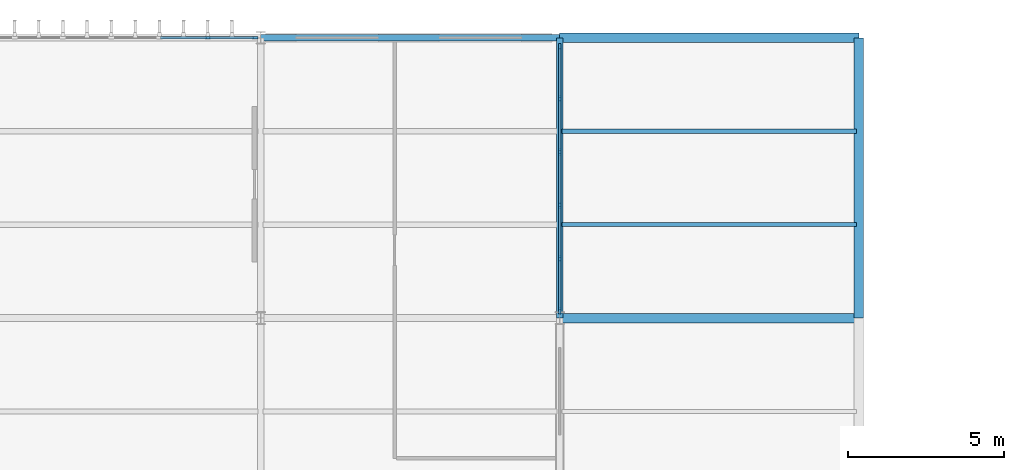
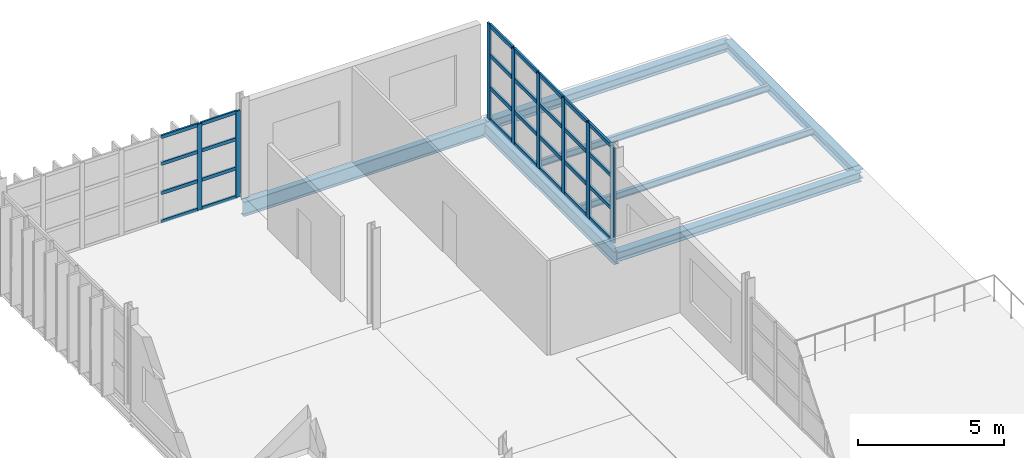
# One storey, part 13 of 38: 36 members, 7 beams, 2 elements without a shape of their own.
"""IFC4 building model written with IfcOpenShell, lengths in metres."""

from ifc_helpers import new_model, si_unit, direction, frame, origin, origin_2d, place, context, subcontext, project, spatial, rectangle, i_section, extrude, material, layer, layer_set, material_profile, profile_set, type_object, element, aggregate, save


model = new_model("IFC4")

# Units and contexts
model_context = context("Model", 3, precision=1e-05, world=origin(), true_north=direction((0.0, 1.0)))
body_context = subcontext(model_context, "Body", "Model", "MODEL_VIEW")
ifc_project = project(units=[si_unit("LENGTHUNIT", "METRE"), si_unit("AREAUNIT", "SQUARE_METRE"), si_unit("VOLUMEUNIT", "CUBIC_METRE"), si_unit("PLANEANGLEUNIT", "RADIAN"), si_unit("MASSUNIT", "GRAM", prefix="KILO")], contexts=[model_context])

# Site, building, storey
site_placement = place(None, origin())
site = spatial("IfcSite", under=ifc_project, at=site_placement, CompositionType="ELEMENT")
building_placement = place(site_placement, origin())
building = spatial("IfcBuilding", under=site, at=building_placement, Name="Zarnetskaya Central Station", CompositionType="ELEMENT")
storey_placement = place(building_placement, frame((0.0, 0.0, 18.60009765625)))
storey = spatial("IfcBuildingStorey", under=building, at=storey_placement, Name="L04", CompositionType="ELEMENT", Elevation=18.60009765625)

# Beams
ifc_material_1 = material(Name="Steel S355", Category="steel")
ifc_material_profile_1 = material_profile(ifc_material_1, i_section(OverallWidth=0.135009765625, OverallDepth=0.27001953125, WebThickness=0.006591796875, FlangeThickness=0.01025390625, FilletRadius=0.014892578125, at=origin_2d()), Name="IPE 270")
ifc_profile_set_1 = profile_set([ifc_material_profile_1], Name="Steel S355")
beam_type_1 = type_object("IfcBeamType", Name="BM-JST-270", PredefinedType="JOIST", material=ifc_profile_set_1)
for number, where, z_axis, x_axis, name in (
    (1, (19.280029296875, 52.199951171875, -0.34521484375), (1.0, 0.0, 0.0), (0.0, 1.0, 0.0), "Secondary floor beam SEC-L04-Z1839-CD-78-1"),
    (2, (19.280029296875, 55.199951171875, -0.34521484375), (1.0, 0.0, 0.0), (0.0, 1.0, 0.0), "Secondary floor beam SEC-L04-Z1839-CD-78-2"),
):
    element("IfcBeam", number, at=place(storey_placement, frame(where, z_axis=z_axis, x_axis=x_axis)), inside=storey, type_object=beam_type_1, Name=name, PredefinedType="JOIST", context=body_context, shape_type="SweptSolid", body=[
        extrude(i_section(OverallWidth=0.135009765625, OverallDepth=0.27001953125, WebThickness=0.006591796875, FlangeThickness=0.01025390625, FilletRadius=0.014892578125, at=origin_2d()), origin(), (0.0, 0.0, 1.0), 9.43994140625),
    ])

# Curtain wall, members
ifc_material_2 = material(Name="Low-E insulated glass", Category="glass")
ifc_layer = layer(ifc_material_2, 0.159912109375, Name="Low-E insulated glass", Category="glass")
ifc_layer_set = layer_set([ifc_layer], Name="Low-E insulated glass")
curtain_wall_type = type_object("IfcCurtainWallType", Name="CW-SYS-06", PredefinedType="USERDEFINED", material=ifc_layer_set)
curtain_wall_1_placement = place(storey_placement, origin())
curtain_wall_1 = element("IfcCurtainWall", 3, at=curtain_wall_1_placement, inside=storey, type_object=curtain_wall_type, Name="Curtain wall CW-L04-051", ObjectType="CURTAIN WALL", PredefinedType="USERDEFINED")
ifc_material_3 = material(Name="Anodised aluminium", Category="aluminium")
ifc_material_profile_2 = material_profile(ifc_material_3, rectangle(XDim=0.070068359375, YDim=0.179931640625, at=origin_2d()), Name="ALU MULL 70x180")
ifc_profile_set_2 = profile_set([ifc_material_profile_2], Name="Anodised aluminium")
member_type_1 = type_object("IfcMemberType", Name="CW-MULL-180", PredefinedType="MULLION", material=ifc_profile_set_2)
member_1_placement = place(storey_placement, frame((7.89990234375, 58.199951171875, 0.0), z_axis=(0.0, 0.0, 1.0), x_axis=(0.0, 1.0, 0.0)))
member_1 = element("IfcMember", 4, at=member_1_placement, type_object=member_type_1, Name="CW-02 mullion 6", PredefinedType="MULLION", context=body_context, shape_type="SweptSolid", body=[
    extrude(rectangle(XDim=0.070068359375, YDim=0.179931640625, at=origin_2d()), origin(), (0.0, 0.0, 1.0), 3.599853515625),
])
member_2_placement = place(storey_placement, frame((9.4150390625, 58.199951171875, 0.0), z_axis=(0.0, 0.0, 1.0), x_axis=(0.0, 1.0, 0.0)))
member_2 = element("IfcMember", 5, at=member_2_placement, type_object=member_type_1, Name="CW-02 mullion 7", PredefinedType="MULLION", context=body_context, shape_type="SweptSolid", body=[
    extrude(rectangle(XDim=0.070068359375, YDim=0.179931640625, at=origin_2d()), origin(), (0.0, 0.0, 1.0), 3.599853515625),
])

curtain_wall_2_placement = place(storey_placement, origin())
curtain_wall_2 = element("IfcCurtainWall", 6, at=curtain_wall_2_placement, inside=storey, type_object=curtain_wall_type, Name="Curtain wall CW-L04-052", ObjectType="CURTAIN WALL", PredefinedType="USERDEFINED")
ifc_material_profile_3 = material_profile(ifc_material_3, rectangle(XDim=0.080078125, YDim=0.219970703125, at=origin_2d()), Name="ALU MULL 80x220")
ifc_profile_set_3 = profile_set([ifc_material_profile_3], Name="Anodised aluminium")
member_type_2 = type_object("IfcMemberType", Name="CW-MULL-220", PredefinedType="MULLION", material=ifc_profile_set_3)
member_3_placement = place(storey_placement, frame((19.199951171875, 57.909912109375, 0.0), z_axis=(0.0, 0.0, 1.0), x_axis=(1.0, 0.0, 0.0)))
member_3 = element("IfcMember", 7, at=member_3_placement, type_object=member_type_2, Name="CW-02 mullion 1", PredefinedType="MULLION", context=body_context, shape_type="SweptSolid", body=[
    extrude(rectangle(XDim=0.080078125, YDim=0.219970703125, at=origin_2d()), origin(), (0.0, 0.0, 1.0), 3.989990234375),
])
member_4_placement = place(storey_placement, frame((19.199951171875, 56.239990234375, 0.0), z_axis=(0.0, 0.0, 1.0), x_axis=(1.0, 0.0, 0.0)))
member_4 = element("IfcMember", 8, at=member_4_placement, type_object=member_type_2, Name="CW-02 mullion 2", PredefinedType="MULLION", context=body_context, shape_type="SweptSolid", body=[
    extrude(rectangle(XDim=0.080078125, YDim=0.219970703125, at=origin_2d()), origin(), (0.0, 0.0, 1.0), 3.989990234375),
])
member_5_placement = place(storey_placement, frame((19.199951171875, 54.530029296875, 0.0), z_axis=(0.0, 0.0, 1.0), x_axis=(1.0, 0.0, 0.0)))
member_5 = element("IfcMember", 9, at=member_5_placement, type_object=member_type_2, Name="CW-02 mullion 3", PredefinedType="MULLION", context=body_context, shape_type="SweptSolid", body=[
    extrude(rectangle(XDim=0.080078125, YDim=0.219970703125, at=origin_2d()), origin(), (0.0, 0.0, 1.0), 3.989990234375),
])
member_6_placement = place(storey_placement, frame((19.199951171875, 52.820068359375, 0.0), z_axis=(0.0, 0.0, 1.0), x_axis=(1.0, 0.0, 0.0)))
member_6 = element("IfcMember", 10, at=member_6_placement, type_object=member_type_2, Name="CW-02 mullion 4", PredefinedType="MULLION", context=body_context, shape_type="SweptSolid", body=[
    extrude(rectangle(XDim=0.080078125, YDim=0.219970703125, at=origin_2d()), origin(), (0.0, 0.0, 1.0), 3.989990234375),
])
member_7_placement = place(storey_placement, frame((19.199951171875, 51.110107421875, 0.0), z_axis=(0.0, 0.0, 1.0), x_axis=(1.0, 0.0, 0.0)))
member_7 = element("IfcMember", 11, at=member_7_placement, type_object=member_type_2, Name="CW-02 mullion 5", PredefinedType="MULLION", context=body_context, shape_type="SweptSolid", body=[
    extrude(rectangle(XDim=0.080078125, YDim=0.219970703125, at=origin_2d()), origin(), (0.0, 0.0, 1.0), 3.989990234375),
])
member_8_placement = place(storey_placement, frame((19.199951171875, 49.43994140625, 0.0), z_axis=(0.0, 0.0, 1.0), x_axis=(1.0, 0.0, 0.0)))
member_8 = element("IfcMember", 12, at=member_8_placement, type_object=member_type_2, Name="CW-02 mullion 6", PredefinedType="MULLION", context=body_context, shape_type="SweptSolid", body=[
    extrude(rectangle(XDim=0.080078125, YDim=0.219970703125, at=origin_2d()), origin(), (0.0, 0.0, 1.0), 3.989990234375),
])

# Member
ifc_material_profile_4 = material_profile(ifc_material_3, rectangle(XDim=0.070068359375, YDim=0.139892578125, at=origin_2d()), Name="ALU TRAN 70x140")
ifc_profile_set_4 = profile_set([ifc_material_profile_4], Name="Anodised aluminium")
member_type_3 = type_object("IfcMemberType", Name="CW-TRAN-140", PredefinedType="USERDEFINED", material=ifc_profile_set_4)
member_9_placement = place(storey_placement, frame((6.385009765625, 58.199951171875, 0.034912109375), z_axis=(1.0, 0.0, 0.0), x_axis=(0.0, 1.0, 0.0)))
member_9 = element("IfcMember", 13, at=member_9_placement, type_object=member_type_3, Name="CW-02 transom 5.1", ObjectType="TRANSOM", PredefinedType="USERDEFINED", context=body_context, shape_type="SweptSolid", body=[
    extrude(rectangle(XDim=0.070068359375, YDim=0.139892578125, at=origin_2d()), origin(), (0.0, 0.0, 1.0), 1.47998046875),
])

member_10_placement = place(storey_placement, frame((6.385009765625, 58.199951171875, 1.223876953125), z_axis=(1.0, 0.0, 0.0), x_axis=(0.0, 1.0, 0.0)))
member_10 = element("IfcMember", 14, at=member_10_placement, type_object=member_type_3, Name="CW-02 transom 5.2", ObjectType="TRANSOM", PredefinedType="USERDEFINED", context=body_context, shape_type="SweptSolid", body=[
    extrude(rectangle(XDim=0.070068359375, YDim=0.139892578125, at=origin_2d()), origin(), (0.0, 0.0, 1.0), 1.47998046875),
])

member_11_placement = place(storey_placement, frame((6.385009765625, 58.199951171875, 2.447998046875), z_axis=(1.0, 0.0, 0.0), x_axis=(0.0, 1.0, 0.0)))
member_11 = element("IfcMember", 15, at=member_11_placement, type_object=member_type_3, Name="CW-02 transom 5.3", ObjectType="TRANSOM", PredefinedType="USERDEFINED", context=body_context, shape_type="SweptSolid", body=[
    extrude(rectangle(XDim=0.070068359375, YDim=0.139892578125, at=origin_2d()), origin(), (0.0, 0.0, 1.0), 1.47998046875),
])

member_12_placement = place(storey_placement, frame((6.385009765625, 58.199951171875, 3.56494140625), z_axis=(1.0, 0.0, 0.0), x_axis=(0.0, 1.0, 0.0)))
member_12 = element("IfcMember", 16, at=member_12_placement, type_object=member_type_3, Name="CW-02 transom 5.4", ObjectType="TRANSOM", PredefinedType="USERDEFINED", context=body_context, shape_type="SweptSolid", body=[
    extrude(rectangle(XDim=0.070068359375, YDim=0.139892578125, at=origin_2d()), origin(), (0.0, 0.0, 1.0), 1.47998046875),
])

member_13_placement = place(storey_placement, frame((7.93505859375, 58.199951171875, 0.034912109375), z_axis=(1.0, 0.0, 0.0), x_axis=(0.0, 1.0, 0.0)))
member_13 = element("IfcMember", 17, at=member_13_placement, type_object=member_type_3, Name="CW-02 transom 6.1", ObjectType="TRANSOM", PredefinedType="USERDEFINED", context=body_context, shape_type="SweptSolid", body=[
    extrude(rectangle(XDim=0.070068359375, YDim=0.139892578125, at=origin_2d()), origin(), (0.0, 0.0, 1.0), 1.44482421875),
])

member_14_placement = place(storey_placement, frame((7.93505859375, 58.199951171875, 1.223876953125), z_axis=(1.0, 0.0, 0.0), x_axis=(0.0, 1.0, 0.0)))
member_14 = element("IfcMember", 18, at=member_14_placement, type_object=member_type_3, Name="CW-02 transom 6.2", ObjectType="TRANSOM", PredefinedType="USERDEFINED", context=body_context, shape_type="SweptSolid", body=[
    extrude(rectangle(XDim=0.070068359375, YDim=0.139892578125, at=origin_2d()), origin(), (0.0, 0.0, 1.0), 1.44482421875),
])

member_15_placement = place(storey_placement, frame((7.93505859375, 58.199951171875, 2.447998046875), z_axis=(1.0, 0.0, 0.0), x_axis=(0.0, 1.0, 0.0)))
member_15 = element("IfcMember", 19, at=member_15_placement, type_object=member_type_3, Name="CW-02 transom 6.3", ObjectType="TRANSOM", PredefinedType="USERDEFINED", context=body_context, shape_type="SweptSolid", body=[
    extrude(rectangle(XDim=0.070068359375, YDim=0.139892578125, at=origin_2d()), origin(), (0.0, 0.0, 1.0), 1.44482421875),
])

member_16_placement = place(storey_placement, frame((7.93505859375, 58.199951171875, 3.56494140625), z_axis=(1.0, 0.0, 0.0), x_axis=(0.0, 1.0, 0.0)))
member_16 = element("IfcMember", 20, at=member_16_placement, type_object=member_type_3, Name="CW-02 transom 6.4", ObjectType="TRANSOM", PredefinedType="USERDEFINED", context=body_context, shape_type="SweptSolid", body=[
    extrude(rectangle(XDim=0.070068359375, YDim=0.139892578125, at=origin_2d()), origin(), (0.0, 0.0, 1.0), 1.44482421875),
])

aggregate(curtain_wall_1, [member_1, member_2, member_9, member_10, member_11, member_12, member_13, member_14, member_15, member_16])

ifc_material_profile_5 = material_profile(ifc_material_3, rectangle(XDim=0.080078125, YDim=0.159912109375, at=origin_2d()), Name="ALU TRAN 80x160")
ifc_profile_set_5 = profile_set([ifc_material_profile_5], Name="Anodised aluminium")
member_type_4 = type_object("IfcMemberType", Name="CW-TRAN-160", PredefinedType="USERDEFINED", material=ifc_profile_set_5)
member_17_placement = place(storey_placement, frame((19.199951171875, 57.8701171875, 0.039794921875), z_axis=(0.0, -1.0, 0.0), x_axis=(1.0, 0.0, 0.0)))
member_17 = element("IfcMember", 21, at=member_17_placement, type_object=member_type_4, Name="CW-02 transom 1.1", ObjectType="TRANSOM", PredefinedType="USERDEFINED", context=body_context, shape_type="SweptSolid", body=[
    extrude(rectangle(XDim=0.080078125, YDim=0.159912109375, at=origin_2d()), origin(), (0.0, 0.0, 1.0), 1.590087890625),
])

member_18_placement = place(storey_placement, frame((19.199951171875, 57.8701171875, 1.35693359375), z_axis=(0.0, -1.0, 0.0), x_axis=(1.0, 0.0, 0.0)))
member_18 = element("IfcMember", 22, at=member_18_placement, type_object=member_type_4, Name="CW-02 transom 1.2", ObjectType="TRANSOM", PredefinedType="USERDEFINED", context=body_context, shape_type="SweptSolid", body=[
    extrude(rectangle(XDim=0.080078125, YDim=0.159912109375, at=origin_2d()), origin(), (0.0, 0.0, 1.0), 1.590087890625),
])

member_19_placement = place(storey_placement, frame((19.199951171875, 57.8701171875, 2.712890625), z_axis=(0.0, -1.0, 0.0), x_axis=(1.0, 0.0, 0.0)))
member_19 = element("IfcMember", 23, at=member_19_placement, type_object=member_type_4, Name="CW-02 transom 1.3", ObjectType="TRANSOM", PredefinedType="USERDEFINED", context=body_context, shape_type="SweptSolid", body=[
    extrude(rectangle(XDim=0.080078125, YDim=0.159912109375, at=origin_2d()), origin(), (0.0, 0.0, 1.0), 1.590087890625),
])

member_20_placement = place(storey_placement, frame((19.199951171875, 57.8701171875, 3.949951171875), z_axis=(0.0, -1.0, 0.0), x_axis=(1.0, 0.0, 0.0)))
member_20 = element("IfcMember", 24, at=member_20_placement, type_object=member_type_4, Name="CW-02 transom 1.4", ObjectType="TRANSOM", PredefinedType="USERDEFINED", context=body_context, shape_type="SweptSolid", body=[
    extrude(rectangle(XDim=0.080078125, YDim=0.159912109375, at=origin_2d()), origin(), (0.0, 0.0, 1.0), 1.590087890625),
])

member_21_placement = place(storey_placement, frame((19.199951171875, 56.199951171875, 0.039794921875), z_axis=(0.0, -1.0, 0.0), x_axis=(1.0, 0.0, 0.0)))
member_21 = element("IfcMember", 25, at=member_21_placement, type_object=member_type_4, Name="CW-02 transom 2.1", ObjectType="TRANSOM", PredefinedType="USERDEFINED", context=body_context, shape_type="SweptSolid", body=[
    extrude(rectangle(XDim=0.080078125, YDim=0.159912109375, at=origin_2d()), origin(), (0.0, 0.0, 1.0), 1.6298828125),
])

member_22_placement = place(storey_placement, frame((19.199951171875, 56.199951171875, 1.35693359375), z_axis=(0.0, -1.0, 0.0), x_axis=(1.0, 0.0, 0.0)))
member_22 = element("IfcMember", 26, at=member_22_placement, type_object=member_type_4, Name="CW-02 transom 2.2", ObjectType="TRANSOM", PredefinedType="USERDEFINED", context=body_context, shape_type="SweptSolid", body=[
    extrude(rectangle(XDim=0.080078125, YDim=0.159912109375, at=origin_2d()), origin(), (0.0, 0.0, 1.0), 1.6298828125),
])

member_23_placement = place(storey_placement, frame((19.199951171875, 56.199951171875, 2.712890625), z_axis=(0.0, -1.0, 0.0), x_axis=(1.0, 0.0, 0.0)))
member_23 = element("IfcMember", 27, at=member_23_placement, type_object=member_type_4, Name="CW-02 transom 2.3", ObjectType="TRANSOM", PredefinedType="USERDEFINED", context=body_context, shape_type="SweptSolid", body=[
    extrude(rectangle(XDim=0.080078125, YDim=0.159912109375, at=origin_2d()), origin(), (0.0, 0.0, 1.0), 1.6298828125),
])

member_24_placement = place(storey_placement, frame((19.199951171875, 56.199951171875, 3.949951171875), z_axis=(0.0, -1.0, 0.0), x_axis=(1.0, 0.0, 0.0)))
member_24 = element("IfcMember", 28, at=member_24_placement, type_object=member_type_4, Name="CW-02 transom 2.4", ObjectType="TRANSOM", PredefinedType="USERDEFINED", context=body_context, shape_type="SweptSolid", body=[
    extrude(rectangle(XDim=0.080078125, YDim=0.159912109375, at=origin_2d()), origin(), (0.0, 0.0, 1.0), 1.6298828125),
])

member_25_placement = place(storey_placement, frame((19.199951171875, 54.489990234375, 0.039794921875), z_axis=(0.0, -1.0, 0.0), x_axis=(1.0, 0.0, 0.0)))
member_25 = element("IfcMember", 29, at=member_25_placement, type_object=member_type_4, Name="CW-02 transom 3.1", ObjectType="TRANSOM", PredefinedType="USERDEFINED", context=body_context, shape_type="SweptSolid", body=[
    extrude(rectangle(XDim=0.080078125, YDim=0.159912109375, at=origin_2d()), origin(), (0.0, 0.0, 1.0), 1.6298828125),
])

member_26_placement = place(storey_placement, frame((19.199951171875, 54.489990234375, 1.35693359375), z_axis=(0.0, -1.0, 0.0), x_axis=(1.0, 0.0, 0.0)))
member_26 = element("IfcMember", 30, at=member_26_placement, type_object=member_type_4, Name="CW-02 transom 3.2", ObjectType="TRANSOM", PredefinedType="USERDEFINED", context=body_context, shape_type="SweptSolid", body=[
    extrude(rectangle(XDim=0.080078125, YDim=0.159912109375, at=origin_2d()), origin(), (0.0, 0.0, 1.0), 1.6298828125),
])

member_27_placement = place(storey_placement, frame((19.199951171875, 54.489990234375, 2.712890625), z_axis=(0.0, -1.0, 0.0), x_axis=(1.0, 0.0, 0.0)))
member_27 = element("IfcMember", 31, at=member_27_placement, type_object=member_type_4, Name="CW-02 transom 3.3", ObjectType="TRANSOM", PredefinedType="USERDEFINED", context=body_context, shape_type="SweptSolid", body=[
    extrude(rectangle(XDim=0.080078125, YDim=0.159912109375, at=origin_2d()), origin(), (0.0, 0.0, 1.0), 1.6298828125),
])

member_28_placement = place(storey_placement, frame((19.199951171875, 54.489990234375, 3.949951171875), z_axis=(0.0, -1.0, 0.0), x_axis=(1.0, 0.0, 0.0)))
member_28 = element("IfcMember", 32, at=member_28_placement, type_object=member_type_4, Name="CW-02 transom 3.4", ObjectType="TRANSOM", PredefinedType="USERDEFINED", context=body_context, shape_type="SweptSolid", body=[
    extrude(rectangle(XDim=0.080078125, YDim=0.159912109375, at=origin_2d()), origin(), (0.0, 0.0, 1.0), 1.6298828125),
])

member_29_placement = place(storey_placement, frame((19.199951171875, 52.780029296875, 0.039794921875), z_axis=(0.0, -1.0, 0.0), x_axis=(1.0, 0.0, 0.0)))
member_29 = element("IfcMember", 33, at=member_29_placement, type_object=member_type_4, Name="CW-02 transom 4.1", ObjectType="TRANSOM", PredefinedType="USERDEFINED", context=body_context, shape_type="SweptSolid", body=[
    extrude(rectangle(XDim=0.080078125, YDim=0.159912109375, at=origin_2d()), origin(), (0.0, 0.0, 1.0), 1.630126953125),
])

member_30_placement = place(storey_placement, frame((19.199951171875, 52.780029296875, 1.35693359375), z_axis=(0.0, -1.0, 0.0), x_axis=(1.0, 0.0, 0.0)))
member_30 = element("IfcMember", 34, at=member_30_placement, type_object=member_type_4, Name="CW-02 transom 4.2", ObjectType="TRANSOM", PredefinedType="USERDEFINED", context=body_context, shape_type="SweptSolid", body=[
    extrude(rectangle(XDim=0.080078125, YDim=0.159912109375, at=origin_2d()), origin(), (0.0, 0.0, 1.0), 1.630126953125),
])

member_31_placement = place(storey_placement, frame((19.199951171875, 52.780029296875, 2.712890625), z_axis=(0.0, -1.0, 0.0), x_axis=(1.0, 0.0, 0.0)))
member_31 = element("IfcMember", 35, at=member_31_placement, type_object=member_type_4, Name="CW-02 transom 4.3", ObjectType="TRANSOM", PredefinedType="USERDEFINED", context=body_context, shape_type="SweptSolid", body=[
    extrude(rectangle(XDim=0.080078125, YDim=0.159912109375, at=origin_2d()), origin(), (0.0, 0.0, 1.0), 1.630126953125),
])

member_32_placement = place(storey_placement, frame((19.199951171875, 52.780029296875, 3.949951171875), z_axis=(0.0, -1.0, 0.0), x_axis=(1.0, 0.0, 0.0)))
member_32 = element("IfcMember", 36, at=member_32_placement, type_object=member_type_4, Name="CW-02 transom 4.4", ObjectType="TRANSOM", PredefinedType="USERDEFINED", context=body_context, shape_type="SweptSolid", body=[
    extrude(rectangle(XDim=0.080078125, YDim=0.159912109375, at=origin_2d()), origin(), (0.0, 0.0, 1.0), 1.630126953125),
])

member_33_placement = place(storey_placement, frame((19.199951171875, 51.070068359375, 0.039794921875), z_axis=(0.0, -1.0, 0.0), x_axis=(1.0, 0.0, 0.0)))
member_33 = element("IfcMember", 37, at=member_33_placement, type_object=member_type_4, Name="CW-02 transom 5.1", ObjectType="TRANSOM", PredefinedType="USERDEFINED", context=body_context, shape_type="SweptSolid", body=[
    extrude(rectangle(XDim=0.080078125, YDim=0.159912109375, at=origin_2d()), origin(), (0.0, 0.0, 1.0), 1.590087890625),
])

member_34_placement = place(storey_placement, frame((19.199951171875, 51.070068359375, 1.35693359375), z_axis=(0.0, -1.0, 0.0), x_axis=(1.0, 0.0, 0.0)))
member_34 = element("IfcMember", 38, at=member_34_placement, type_object=member_type_4, Name="CW-02 transom 5.2", ObjectType="TRANSOM", PredefinedType="USERDEFINED", context=body_context, shape_type="SweptSolid", body=[
    extrude(rectangle(XDim=0.080078125, YDim=0.159912109375, at=origin_2d()), origin(), (0.0, 0.0, 1.0), 1.590087890625),
])

member_35_placement = place(storey_placement, frame((19.199951171875, 51.070068359375, 2.712890625), z_axis=(0.0, -1.0, 0.0), x_axis=(1.0, 0.0, 0.0)))
member_35 = element("IfcMember", 39, at=member_35_placement, type_object=member_type_4, Name="CW-02 transom 5.3", ObjectType="TRANSOM", PredefinedType="USERDEFINED", context=body_context, shape_type="SweptSolid", body=[
    extrude(rectangle(XDim=0.080078125, YDim=0.159912109375, at=origin_2d()), origin(), (0.0, 0.0, 1.0), 1.590087890625),
])

member_36_placement = place(storey_placement, frame((19.199951171875, 51.070068359375, 3.949951171875), z_axis=(0.0, -1.0, 0.0), x_axis=(1.0, 0.0, 0.0)))
member_36 = element("IfcMember", 40, at=member_36_placement, type_object=member_type_4, Name="CW-02 transom 5.4", ObjectType="TRANSOM", PredefinedType="USERDEFINED", context=body_context, shape_type="SweptSolid", body=[
    extrude(rectangle(XDim=0.080078125, YDim=0.159912109375, at=origin_2d()), origin(), (0.0, 0.0, 1.0), 1.590087890625),
])

aggregate(curtain_wall_2, [member_3, member_4, member_5, member_6, member_7, member_8, member_17, member_18, member_19, member_20, member_21, member_22, member_23, member_24, member_25, member_26, member_27, member_28, member_29, member_30, member_31, member_32, member_33, member_34, member_35, member_36])

# Beams
ifc_material_profile_6 = material_profile(ifc_material_1, i_section(OverallWidth=0.2099609375, OverallDepth=0.550048828125, WebThickness=0.010986328125, FlangeThickness=0.01708984375, FilletRadius=0.02392578125, at=origin_2d()), Name="IPE 550")
ifc_profile_set_6 = profile_set([ifc_material_profile_6], Name="Steel S355")
beam_type_2 = type_object("IfcBeamType", Name="GD-FLR-550", PredefinedType="USERDEFINED", material=ifc_profile_set_6)
beam_1_placement = place(storey_placement, frame((19.199951171875, 49.199951171875, -0.51513671875), z_axis=(0.0, 1.0, 0.0), x_axis=(-1.0, 0.0, 0.0)))
element("IfcBeam", 41, at=beam_1_placement, inside=storey, type_object=beam_type_2, Name="Grid girder GY-L04-C-78", ObjectType="GIRDER", PredefinedType="USERDEFINED", context=body_context, shape_type="SweptSolid", body=[
    extrude(i_section(OverallWidth=0.2099609375, OverallDepth=0.550048828125, WebThickness=0.010986328125, FlangeThickness=0.01708984375, FilletRadius=0.02392578125, at=origin_2d()), origin(), (0.0, 0.0, 1.0), 9.0),
])
ifc_material_profile_7 = material_profile(ifc_material_1, i_section(OverallWidth=0.219970703125, OverallDepth=0.60009765625, WebThickness=0.011962890625, FlangeThickness=0.01904296875, FilletRadius=0.02392578125, at=origin_2d()), Name="IPE 600")
ifc_profile_set_7 = profile_set([ifc_material_profile_7], Name="Steel S355")
beam_type_3 = type_object("IfcBeamType", Name="GD-FLR-600", PredefinedType="USERDEFINED", material=ifc_profile_set_7)
beam_2_placement = place(storey_placement, frame((9.60009765625, 58.199951171875, -0.5400390625), z_axis=(1.0, 0.0, 0.0), x_axis=(0.0, 1.0, 0.0)))
element("IfcBeam", 42, at=beam_2_placement, inside=storey, type_object=beam_type_3, Name="Grid girder GX-L04-8-BC", ObjectType="GIRDER", PredefinedType="USERDEFINED", context=body_context, shape_type="SweptSolid", body=[
    extrude(i_section(OverallWidth=0.219970703125, OverallDepth=0.60009765625, WebThickness=0.011962890625, FlangeThickness=0.01904296875, FilletRadius=0.02392578125, at=origin_2d()), origin(), (0.0, 0.0, 1.0), 9.599853515625),
])
ifc_material_profile_8 = material_profile(ifc_material_1, i_section(OverallWidth=0.300048828125, OverallDepth=0.389892578125, WebThickness=0.010986328125, FlangeThickness=0.01904296875, FilletRadius=0.027099609375, at=origin_2d()), Name="HEA 400")
ifc_profile_set_8 = profile_set([ifc_material_profile_8], Name="Steel S355")
beam_type_4 = type_object("IfcBeamType", Name="GD-ROOF-400", PredefinedType="USERDEFINED", material=ifc_profile_set_8)
for number, where, z_axis, x_axis, name in (
    (43, (19.199951171875, 49.199951171875, -0.405029296875), (1.0, 0.0, 0.0), (0.0, 1.0, 0.0), "Grid girder GX-L04-7-CD"),
    (44, (19.199951171875, 58.199951171875, -0.405029296875), (1.0, 0.0, 0.0), (0.0, 1.0, 0.0), "Grid girder GX-L04-8-CD"),
):
    element("IfcBeam", number, at=place(storey_placement, frame(where, z_axis=z_axis, x_axis=x_axis)), inside=storey, type_object=beam_type_4, Name=name, ObjectType="GIRDER", PredefinedType="USERDEFINED", context=body_context, shape_type="SweptSolid", body=[
        extrude(i_section(OverallWidth=0.300048828125, OverallDepth=0.389892578125, WebThickness=0.010986328125, FlangeThickness=0.01904296875, FilletRadius=0.027099609375, at=origin_2d()), origin(), (0.0, 0.0, 1.0), 9.60009765625),
    ])
beam_3_placement = place(storey_placement, frame((28.800048828125, 49.199951171875, -0.405029296875), z_axis=(0.0, 1.0, 0.0), x_axis=(-1.0, 0.0, 0.0)))
element("IfcBeam", 45, at=beam_3_placement, inside=storey, type_object=beam_type_4, Name="Grid girder GY-L04-D-78", ObjectType="GIRDER", PredefinedType="USERDEFINED", context=body_context, shape_type="SweptSolid", body=[
    extrude(i_section(OverallWidth=0.300048828125, OverallDepth=0.389892578125, WebThickness=0.010986328125, FlangeThickness=0.01904296875, FilletRadius=0.027099609375, at=origin_2d()), origin(), (0.0, 0.0, 1.0), 9.0),
])

save(model, "model.ifc")
